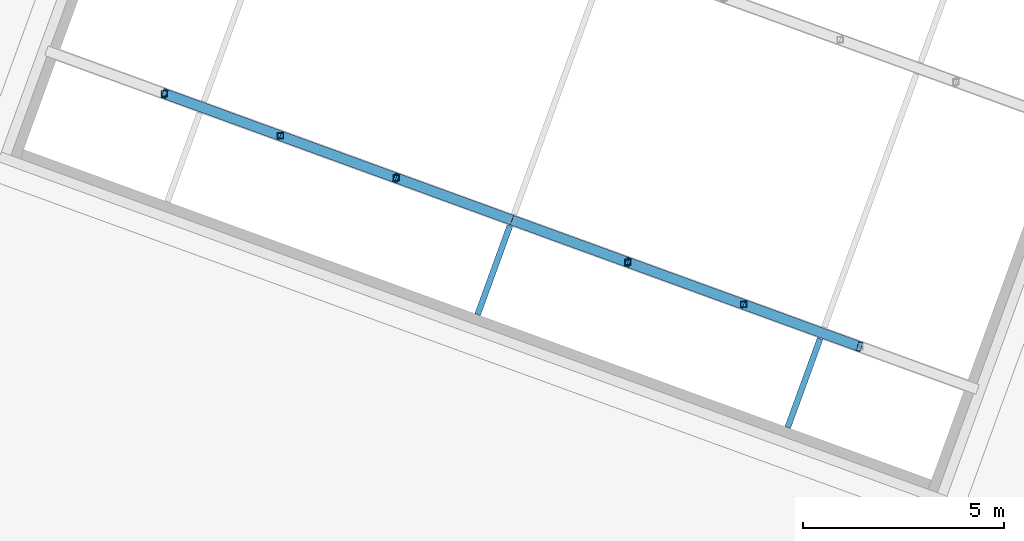
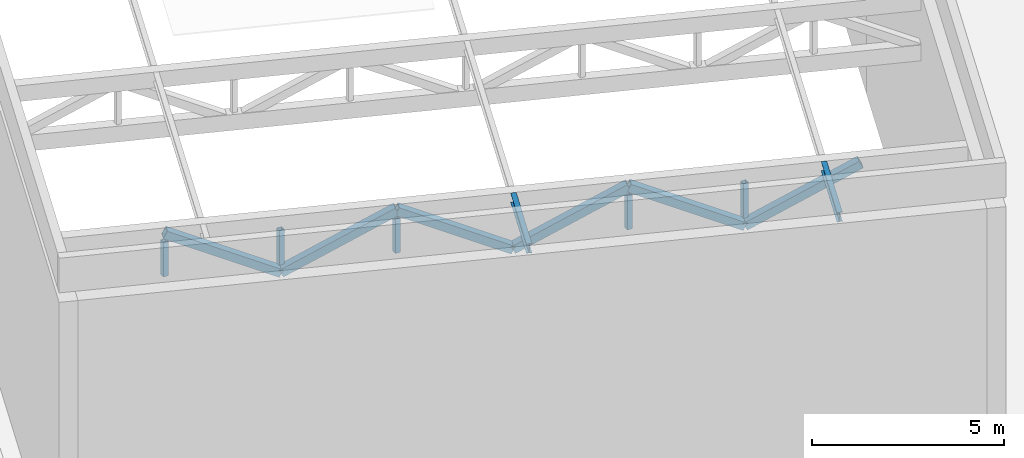
# One storey, part 24 of 72: 13 members.
"""IFC4 building model written with IfcOpenShell, lengths in metres."""

from ifc_helpers import new_model, si_unit, direction, frame, origin, origin_2d, place, context, subcontext, project, spatial, hollow_rectangle, i_section, extrude, material, material_profile, profile_set, type_object, element, save


model = new_model("IFC4")

# Units and contexts
model_context = context("Model", 3, precision=1e-05, world=origin(), true_north=direction((0.0, 1.0)))
body_context = subcontext(model_context, "Body", "Model", "MODEL_VIEW")
ifc_project = project(units=[si_unit("LENGTHUNIT", "METRE"), si_unit("AREAUNIT", "SQUARE_METRE"), si_unit("VOLUMEUNIT", "CUBIC_METRE"), si_unit("PLANEANGLEUNIT", "RADIAN"), si_unit("MASSUNIT", "GRAM", prefix="KILO")], contexts=[model_context])

# Site, building, storey
site_placement = place(None, origin())
site = spatial("IfcSite", under=ifc_project, at=site_placement, CompositionType="ELEMENT")
building_placement = place(site_placement, origin())
building = spatial("IfcBuilding", under=site, at=building_placement, Name="Nzadi Deep Aquarium and Research Tower", CompositionType="ELEMENT")
storey_placement = place(building_placement, frame((0.0, 0.0, 31.89990234375)))
storey = spatial("IfcBuildingStorey", under=building, at=storey_placement, Name="L05", CompositionType="ELEMENT", Elevation=31.89990234375)

# Members
ifc_material_1 = material(Name="Steel S355", Category="steel")
ifc_material_profile_1 = material_profile(ifc_material_1, i_section(OverallWidth=0.14990234375, OverallDepth=0.300048828125, WebThickness=0.007080078125, FlangeThickness=0.0107421875, FilletRadius=0.014892578125, at=origin_2d()))
ifc_profile_set_1 = profile_set([ifc_material_profile_1], Name="Steel S355")
member_type_1 = type_object("IfcMemberType", Name="IPE 300", PredefinedType="PURLIN", material=ifc_profile_set_1)
member_1_placement = place(storey_placement, frame((22.814697265625, 53.75537109375, 8.650146484375), z_axis=(0.342009981554, 0.939696319306, 0.0), x_axis=(-0.939696319306, 0.342009981554, 0.0)))
element("IfcMember", 1, at=member_1_placement, inside=storey, type_object=member_type_1, Name="MB-PR-R1-PU2-1", PredefinedType="PURLIN", context=body_context, shape_type="SweptSolid", body=[
    extrude(i_section(OverallWidth=0.14990234375, OverallDepth=0.300048828125, WebThickness=0.007080078125, FlangeThickness=0.0107421875, FilletRadius=0.014892578125, at=origin_2d()), origin(), (0.0, 0.0, 1.0), 2.349853515625),
])
member_2_placement = place(storey_placement, frame((30.52001953125, 50.950927734375, 8.650146484375), z_axis=(0.342101715665, 0.939662926873, 0.0), x_axis=(-0.939662926873, 0.342101715665, 0.0)))
element("IfcMember", 2, at=member_2_placement, inside=storey, type_object=member_type_1, Name="MB-PR-R1-PU3-1", PredefinedType="PURLIN", context=body_context, shape_type="SweptSolid", body=[
    extrude(i_section(OverallWidth=0.14990234375, OverallDepth=0.300048828125, WebThickness=0.007080078125, FlangeThickness=0.0107421875, FilletRadius=0.014892578125, at=origin_2d()), origin(), (0.0, 0.0, 1.0), 2.35009765625),
])
ifc_material_2 = material(Name="Steel S355", Category="steel")
ifc_material_profile_2 = material_profile(ifc_material_2, hollow_rectangle(XDim=0.14990234375, YDim=0.14990234375, WallThickness=0.008056640625, at=origin_2d()))
ifc_profile_set_2 = profile_set([ifc_material_profile_2], Name="Steel S355")
member_type_2 = type_object("IfcMemberType", Name="RHS 150x150x8 post 2", PredefinedType="POST", material=ifc_profile_set_2)
for number, where, z_axis, x_axis, name in (
    (3, (15.036376953125, 59.246826171875, 7.2001953125), (0.0, 0.0, 1.0), (1.0, 0.0, 0.0), "MB-PR-R1-T1-V1"),
    (4, (17.9140625, 58.199462890625, 7.2001953125), (0.0, 0.0, 1.0), (1.0, 0.0, 0.0), "MB-PR-R1-T1-V2"),
    (5, (20.7919921875, 57.152099609375, 7.2001953125), (0.0, 0.0, 1.0), (1.0, 0.0, 0.0), "MB-PR-R1-T1-V3"),
    (6, (26.547607421875, 55.05712890625, 7.2001953125), (0.0, 0.0, 1.0), (1.0, 0.0, 0.0), "MB-PR-R1-T1-V5"),
    (7, (29.42529296875, 54.009765625, 7.2001953125), (0.0, 0.0, 1.0), (1.0, 0.0, 0.0), "MB-PR-R1-T1-V6"),
):
    element("IfcMember", number, at=place(storey_placement, frame(where, z_axis=z_axis, x_axis=x_axis)), inside=storey, type_object=member_type_2, Name=name, PredefinedType="POST", context=body_context, shape_type="SweptSolid", body=[
        extrude(hollow_rectangle(XDim=0.14990234375, YDim=0.14990234375, WallThickness=0.008056640625, at=origin_2d()), origin(), (0.0, 0.0, 1.0), 1.099853515625),
    ])
ifc_material_3 = material(Name="Steel S355", Category="steel")
ifc_material_profile_3 = material_profile(ifc_material_3, hollow_rectangle(XDim=0.25, YDim=0.25, WallThickness=0.01611328125, at=origin_2d()))
ifc_profile_set_3 = profile_set([ifc_material_profile_3], Name="Steel S355")
member_type_3 = type_object("IfcMemberType", Name="RHS 250x250x16 brace", PredefinedType="BRACE", material=ifc_profile_set_3)
member_3_placement = place(storey_placement, frame((15.036376953125, 59.246826171875, 8.550048828125), z_axis=(0.832885449393, -0.303137234062, -0.463043891564), x_axis=(0.342011896186, 0.939695622458, 0.0)))
element("IfcMember", 8, at=member_3_placement, inside=storey, type_object=member_type_3, Name="MB-PR-R1-T1-D2", PredefinedType="BRACE", context=body_context, shape_type="SweptSolid", body=[
    extrude(hollow_rectangle(XDim=0.25, YDim=0.25, WallThickness=0.01611328125, at=origin_2d()), origin(), (0.0, 0.0, 1.0), 3.455078125),
])
member_4_placement = place(storey_placement, frame((17.9140625, 58.199462890625, 6.9501953125), z_axis=(0.832907091186, -0.3031193944, 0.463016641376), x_axis=(0.341986276019, 0.939704946786, 0.0)))
element("IfcMember", 9, at=member_4_placement, inside=storey, type_object=member_type_3, Name="MB-PR-R1-T1-D3", PredefinedType="BRACE", context=body_context, shape_type="SweptSolid", body=[
    extrude(hollow_rectangle(XDim=0.25, YDim=0.25, WallThickness=0.01611328125, at=origin_2d()), origin(), (0.0, 0.0, 1.0), 3.455322265625),
])
member_5_placement = place(storey_placement, frame((20.7919921875, 57.152099609375, 8.550048828125), z_axis=(0.832867607406, -0.303201400134, -0.463033972286), x_axis=(0.342082290984, 0.939669998561, 0.0)))
element("IfcMember", 10, at=member_5_placement, inside=storey, type_object=member_type_3, Name="MB-PR-R1-T1-D4", PredefinedType="BRACE", context=body_context, shape_type="SweptSolid", body=[
    extrude(hollow_rectangle(XDim=0.25, YDim=0.25, WallThickness=0.01611328125, at=origin_2d()), origin(), (0.0, 0.0, 1.0), 3.455078125),
])
member_6_placement = place(storey_placement, frame((23.669677734375, 56.1044921875, 6.9501953125), z_axis=(0.832907091186, -0.3031193944, 0.463016641376), x_axis=(0.341986276019, 0.939704946786, 0.0)))
element("IfcMember", 11, at=member_6_placement, inside=storey, type_object=member_type_3, Name="MB-PR-R1-T1-D5", PredefinedType="BRACE", context=body_context, shape_type="SweptSolid", body=[
    extrude(hollow_rectangle(XDim=0.25, YDim=0.25, WallThickness=0.01611328125, at=origin_2d()), origin(), (0.0, 0.0, 1.0), 3.455322265625),
])
member_7_placement = place(storey_placement, frame((26.547607421875, 55.05712890625, 8.550048828125), z_axis=(0.832885449393, -0.303137234062, -0.463043891564), x_axis=(0.342011896186, 0.939695622458, 0.0)))
element("IfcMember", 12, at=member_7_placement, inside=storey, type_object=member_type_3, Name="MB-PR-R1-T1-D6", PredefinedType="BRACE", context=body_context, shape_type="SweptSolid", body=[
    extrude(hollow_rectangle(XDim=0.25, YDim=0.25, WallThickness=0.01611328125, at=origin_2d()), origin(), (0.0, 0.0, 1.0), 3.455078125),
])
member_8_placement = place(storey_placement, frame((29.42529296875, 54.009765625, 6.9501953125), z_axis=(0.832907091186, -0.3031193944, 0.463016641376), x_axis=(0.341986276019, 0.939704946786, 0.0)))
element("IfcMember", 13, at=member_8_placement, inside=storey, type_object=member_type_3, Name="MB-PR-R1-T1-D7", PredefinedType="BRACE", context=body_context, shape_type="SweptSolid", body=[
    extrude(hollow_rectangle(XDim=0.25, YDim=0.25, WallThickness=0.01611328125, at=origin_2d()), origin(), (0.0, 0.0, 1.0), 3.455322265625),
])

save(model, "model.ifc")
